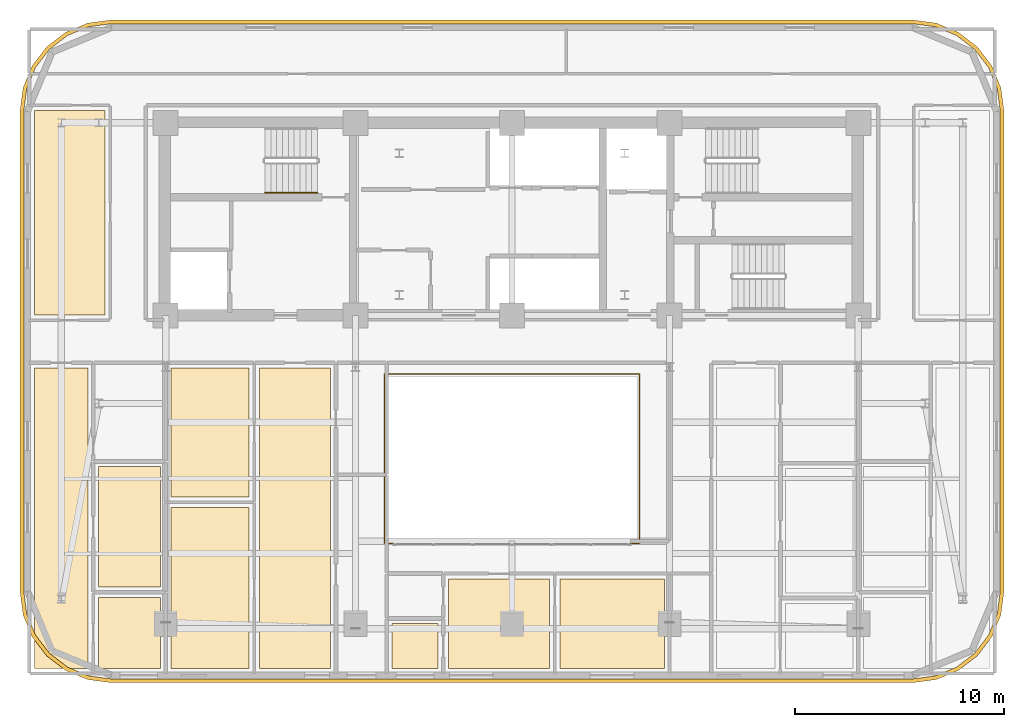
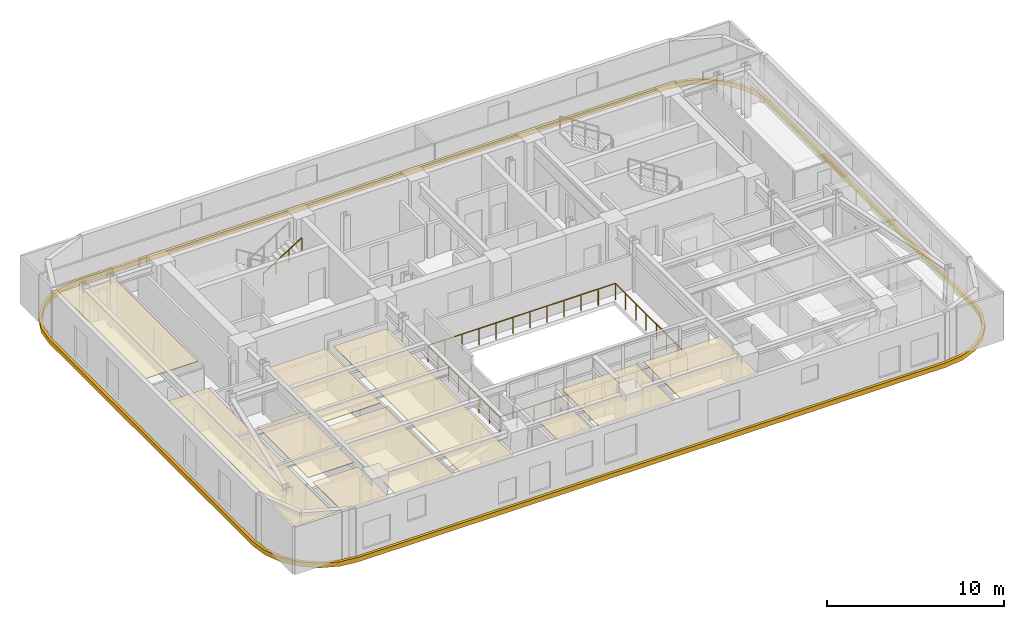
# One storey, part 10 of 12: 11 coverings, 2 railings.
"""IFC4 building model written with IfcOpenShell, lengths in metres."""

from ifc_helpers import new_model, si_unit, direction, frame, origin, origin_2d, place, context, subcontext, project, spatial, polyline, rectangle, outline, extrude, material, layer, layer_set, type_object, element, save


model = new_model("IFC4")

# Units and contexts
model_context = context("Model", 3, precision=1e-05, world=origin(), true_north=direction((0.0, 1.0)))
body_context = subcontext(model_context, "Body", "Model", "MODEL_VIEW")
ifc_project = project(units=[si_unit("LENGTHUNIT", "METRE"), si_unit("AREAUNIT", "SQUARE_METRE"), si_unit("VOLUMEUNIT", "CUBIC_METRE"), si_unit("PLANEANGLEUNIT", "RADIAN"), si_unit("MASSUNIT", "GRAM", prefix="KILO")], contexts=[model_context])

# Site, building, storey
site_placement = place(None, origin())
site = spatial("IfcSite", under=ifc_project, at=site_placement, CompositionType="ELEMENT")
building_placement = place(site_placement, origin())
building = spatial("IfcBuilding", under=site, at=building_placement, Name="Zarnavel Station Tower", CompositionType="ELEMENT")
storey_placement = place(building_placement, frame((0.0, 0.0, 144.800048828125)))
storey = spatial("IfcBuildingStorey", under=building, at=storey_placement, Name="L39", CompositionType="ELEMENT", Elevation=144.800048828125)

# Coverings
ifc_material_1 = material(Name="Perforated Gypsum and Mineral-Wool Acoustic Ceiling", Category="concrete")
ifc_layer = layer(ifc_material_1, 0.0400390625)
ifc_layer_set = layer_set([ifc_layer], Name="COV_CEIL_ACOUSTIC")
covering_type_1 = type_object("IfcCoveringType", Name="COV_CEIL_ACOUSTIC", PredefinedType="CEILING", material=ifc_layer_set)
covering_1_placement = place(storey_placement, frame((0.0, 0.0, 2.969970703125)))
element("IfcCovering", 1, at=covering_1_placement, inside=storey, type_object=covering_type_1, Name="L39 FNW Acoustic Ceiling", PredefinedType="CEILING", context=body_context, shape_type="SweptSolid", body=[
    extrude(outline(polyline([(5.909912109375, 27.85009765625), (9.300048828125, 27.85009765625), (9.300048828125, 37.64990234375), (5.909912109375, 37.64990234375), (5.909912109375, 27.85009765625)])), origin(), (0.0, 0.0, 1.0), 0.0400390625),
])
covering_2_placement = place(storey_placement, frame((0.0, 0.0, 2.969970703125)))
element("IfcCovering", 2, at=covering_2_placement, inside=storey, type_object=covering_type_1, Name="L39 UW1LV Acoustic Ceiling", PredefinedType="CEILING", context=body_context, shape_type="SweptSolid", body=[
    extrude(outline(polyline([(5.909912109375, 10.909912109375), (8.48388671875, 10.909912109375), (8.48388671875, 25.300048828125), (5.909912109375, 25.300048828125), (5.909912109375, 10.909912109375)])), origin(), (0.0, 0.0, 1.0), 0.0400390625),
])
covering_3_placement = place(storey_placement, frame((0.0, 0.0, 2.969970703125)))
element("IfcCovering", 3, at=covering_3_placement, inside=storey, type_object=covering_type_1, Name="L39 UW1B1 Acoustic Ceiling", PredefinedType="CEILING", context=body_context, shape_type="SweptSolid", body=[
    extrude(outline(polyline([(8.98388671875, 10.909912109375), (11.949951171875, 10.909912109375), (11.949951171875, 14.304931640625), (8.98388671875, 14.304931640625), (8.98388671875, 10.909912109375)])), origin(), (0.0, 0.0, 1.0), 0.0400390625),
])
covering_4_placement = place(storey_placement, frame((0.0, 0.0, 2.969970703125)))
element("IfcCovering", 4, at=covering_4_placement, inside=storey, type_object=covering_type_1, Name="L39 UW1KT Acoustic Ceiling", PredefinedType="CEILING", context=body_context, shape_type="SweptSolid", body=[
    extrude(outline(polyline([(8.98388671875, 14.804931640625), (11.949951171875, 14.804931640625), (11.949951171875, 20.572021484375), (8.98388671875, 20.572021484375), (8.98388671875, 14.804931640625)])), origin(), (0.0, 0.0, 1.0), 0.0400390625),
])
covering_5_placement = place(storey_placement, frame((0.0, 0.0, 2.969970703125)))
element("IfcCovering", 5, at=covering_5_placement, inside=storey, type_object=covering_type_1, Name="L39 UW2LV Acoustic Ceiling", PredefinedType="CEILING", context=body_context, shape_type="SweptSolid", body=[
    extrude(outline(polyline([(16.68994140625, 10.909912109375), (20.112060546875, 10.909912109375), (20.112060546875, 25.300048828125), (16.68994140625, 25.300048828125), (16.68994140625, 10.909912109375)])), origin(), (0.0, 0.0, 1.0), 0.0400390625),
])
covering_6_placement = place(storey_placement, frame((0.0, 0.0, 2.969970703125)))
element("IfcCovering", 6, at=covering_6_placement, inside=storey, type_object=covering_type_1, Name="L39 UW2B1 Acoustic Ceiling", PredefinedType="CEILING", context=body_context, shape_type="SweptSolid", body=[
    extrude(outline(polyline([(12.449951171875, 10.909912109375), (16.18994140625, 10.909912109375), (16.18994140625, 18.6201171875), (12.449951171875, 18.6201171875), (12.449951171875, 10.909912109375)])), origin(), (0.0, 0.0, 1.0), 0.0400390625),
])
covering_7_placement = place(storey_placement, frame((0.0, 0.0, 2.969970703125)))
element("IfcCovering", 7, at=covering_7_placement, inside=storey, type_object=covering_type_1, Name="L39 UW2B2 Acoustic Ceiling", PredefinedType="CEILING", context=body_context, shape_type="SweptSolid", body=[
    extrude(outline(polyline([(12.449951171875, 19.1201171875), (16.18994140625, 19.1201171875), (16.18994140625, 25.300048828125), (12.449951171875, 25.300048828125), (12.449951171875, 19.1201171875)])), origin(), (0.0, 0.0, 1.0), 0.0400390625),
])
covering_8_placement = place(storey_placement, frame((0.0, 0.0, 2.969970703125)))
element("IfcCovering", 8, at=covering_8_placement, inside=storey, type_object=covering_type_1, Name="L39 US1LV Acoustic Ceiling", PredefinedType="CEILING", context=body_context, shape_type="SweptSolid", body=[
    extrude(outline(polyline([(25.75, 10.909912109375), (30.60009765625, 10.909912109375), (30.60009765625, 15.199951171875), (25.75, 15.199951171875), (25.75, 10.909912109375)])), origin(), (0.0, 0.0, 1.0), 0.0400390625),
])
covering_9_placement = place(storey_placement, frame((0.0, 0.0, 2.969970703125)))
element("IfcCovering", 9, at=covering_9_placement, inside=storey, type_object=covering_type_1, Name="L39 US1KT Acoustic Ceiling", PredefinedType="CEILING", context=body_context, shape_type="SweptSolid", body=[
    extrude(outline(polyline([(23.050048828125, 10.909912109375), (25.25, 10.909912109375), (25.25, 13.050048828125), (23.050048828125, 13.050048828125), (23.050048828125, 10.909912109375)])), origin(), (0.0, 0.0, 1.0), 0.0400390625),
])
covering_10_placement = place(storey_placement, frame((0.0, 0.0, 2.969970703125)))
element("IfcCovering", 10, at=covering_10_placement, inside=storey, type_object=covering_type_1, Name="L39 US1B1 Acoustic Ceiling", PredefinedType="CEILING", context=body_context, shape_type="SweptSolid", body=[
    extrude(outline(polyline([(31.10009765625, 10.909912109375), (36.10009765625, 10.909912109375), (36.10009765625, 15.199951171875), (31.10009765625, 15.199951171875), (31.10009765625, 10.909912109375)])), origin(), (0.0, 0.0, 1.0), 0.0400390625),
])
ifc_material_2 = material(Name="Precast concrete C45/55 (Pale Travertine Slab Band)", Category="masonry")
covering_type_2 = type_object("IfcCoveringType", Name="COV_TRAVERTINE_BAND", PredefinedType="CLADDING", material=ifc_material_2)
covering_11_placement = place(storey_placement, frame((0.0, 0.0, -0.260009765625)))
element("IfcCovering", 11, at=covering_11_placement, inside=storey, type_object=covering_type_2, Name="L39 Pale Travertine Slab-Edge Band", PredefinedType="CLADDING", context=body_context, shape_type="SweptSolid", body=[
    extrude(outline(polyline([(48.0, 10.219970703125), (49.133544921875, 10.369140625), (50.18994140625, 10.806884765625), (51.09716796875, 11.5029296875), (51.793212890625, 12.409912109375), (52.230712890625, 13.46630859375), (52.3798828125, 14.60009765625), (52.3798828125, 37.60009765625), (52.230712890625, 38.733642578125), (51.793212890625, 39.7900390625), (51.09716796875, 40.697021484375), (50.18994140625, 41.393310546875), (49.133544921875, 41.830810546875), (48.0, 41.97998046875), (9.60009765625, 41.97998046875), (8.46630859375, 41.830810546875), (7.409912109375, 41.393310546875), (6.5029296875, 40.697021484375), (5.806884765625, 39.7900390625), (5.369140625, 38.733642578125), (5.219970703125, 37.60009765625), (5.219970703125, 14.60009765625), (5.369140625, 13.46630859375), (5.806884765625, 12.409912109375), (6.5029296875, 11.5029296875), (7.409912109375, 10.806884765625), (8.46630859375, 10.369140625), (9.60009765625, 10.219970703125), (48.0, 10.219970703125)]), holes=[polyline([(48.0, 10.39990234375), (49.0869140625, 10.543212890625), (50.10009765625, 10.962646484375), (50.9697265625, 11.630126953125), (51.63720703125, 12.5), (52.056884765625, 13.512939453125), (52.199951171875, 14.60009765625), (52.199951171875, 37.60009765625), (52.056884765625, 38.68701171875), (51.63720703125, 39.699951171875), (50.9697265625, 40.56982421875), (50.10009765625, 41.2373046875), (49.0869140625, 41.656982421875), (48.0, 41.800048828125), (9.60009765625, 41.800048828125), (8.512939453125, 41.656982421875), (7.5, 41.2373046875), (6.630126953125, 40.56982421875), (5.962646484375, 39.699951171875), (5.543212890625, 38.68701171875), (5.39990234375, 37.60009765625), (5.39990234375, 14.60009765625), (5.543212890625, 13.512939453125), (5.962646484375, 12.5), (6.630126953125, 11.630126953125), (7.5, 10.962646484375), (8.512939453125, 10.543212890625), (9.60009765625, 10.39990234375), (48.0, 10.39990234375)])]), origin(), (0.0, 0.0, 1.0), 0.320068359375),
])

# Railings
ifc_material_3 = material(Name="Painted Steel S355J2 Balustrade", Category="steel")
railing_type_1 = type_object("IfcRailingType", Name="GR_INT_1150", PredefinedType="GUARDRAIL", material=ifc_material_3)
railing_1_placement = place(storey_placement, frame((22.679931640625, 16.8798828125, 0.0)))
element("IfcRailing", 12, at=railing_1_placement, inside=storey, type_object=railing_type_1, Name="L39 Atrium Void Guardrail", PredefinedType="GUARDRAIL", context=body_context, shape_type="SweptSolid", body=[
    extrude(rectangle(XDim=0.048095703125, YDim=0.048095703125, at=origin_2d()), frame((0.001953125, 0.0, 1.1259765625), z_axis=(1.0, 0.0, 0.0), x_axis=(0.0, 1.0, 0.0)), (0.0, 0.0, 1.0), 12.236083984375),
    extrude(rectangle(XDim=0.048095703125, YDim=0.048095703125, at=origin_2d()), frame((12.239990234375, 0.001953125, 1.1259765625), z_axis=(0.0, 1.0, 0.0), x_axis=(-1.0, 0.0, 0.0)), (0.0, 0.0, 1.0), 8.13623046875),
    extrude(rectangle(XDim=0.048095703125, YDim=0.048095703125, at=origin_2d()), frame((12.238037109375, 8.14013671875, 1.1259765625), z_axis=(-1.0, 0.0, 0.0), x_axis=(0.0, -1.0, 0.0)), (0.0, 0.0, 1.0), 12.236083984375),
    extrude(rectangle(XDim=0.048095703125, YDim=0.048095703125, at=origin_2d()), frame((0.0, 8.13818359375, 1.1259765625), z_axis=(0.0, -1.0, 0.0), x_axis=(1.0, 0.0, 0.0)), (0.0, 0.0, 1.0), 8.13623046875),
    extrude(rectangle(XDim=0.0419921875, YDim=0.0419921875, at=origin_2d()), origin(), (0.0, 0.0, 1.0), 1.101806640625),
    extrude(rectangle(XDim=0.0419921875, YDim=0.0419921875, at=origin_2d()), frame((1.11279296875, 0.0, 0.0)), (0.0, 0.0, 1.0), 1.101806640625),
    extrude(rectangle(XDim=0.0419921875, YDim=0.0419921875, at=origin_2d()), frame((2.225341796875, 0.0, 0.0)), (0.0, 0.0, 1.0), 1.101806640625),
    extrude(rectangle(XDim=0.0419921875, YDim=0.0419921875, at=origin_2d()), frame((3.338134765625, 0.0, 0.0)), (0.0, 0.0, 1.0), 1.101806640625),
    extrude(rectangle(XDim=0.0419921875, YDim=0.0419921875, at=origin_2d()), frame((4.450927734375, 0.0, 0.0)), (0.0, 0.0, 1.0), 1.101806640625),
    extrude(rectangle(XDim=0.0419921875, YDim=0.0419921875, at=origin_2d()), frame((5.563720703125, 0.0, 0.0)), (0.0, 0.0, 1.0), 1.101806640625),
    extrude(rectangle(XDim=0.0419921875, YDim=0.0419921875, at=origin_2d()), frame((6.67626953125, 0.0, 0.0)), (0.0, 0.0, 1.0), 1.101806640625),
    extrude(rectangle(XDim=0.0419921875, YDim=0.0419921875, at=origin_2d()), frame((7.7890625, 0.0, 0.0)), (0.0, 0.0, 1.0), 1.101806640625),
    extrude(rectangle(XDim=0.0419921875, YDim=0.0419921875, at=origin_2d()), frame((8.90185546875, 0.0, 0.0)), (0.0, 0.0, 1.0), 1.101806640625),
    extrude(rectangle(XDim=0.0419921875, YDim=0.0419921875, at=origin_2d()), frame((10.0146484375, 0.0, 0.0)), (0.0, 0.0, 1.0), 1.101806640625),
    extrude(rectangle(XDim=0.0419921875, YDim=0.0419921875, at=origin_2d()), frame((11.127197265625, 0.0, 0.0)), (0.0, 0.0, 1.0), 1.101806640625),
    extrude(rectangle(XDim=0.0419921875, YDim=0.0419921875, at=origin_2d()), frame((12.239990234375, 0.0, 0.0)), (0.0, 0.0, 1.0), 1.101806640625),
    extrude(rectangle(XDim=0.0419921875, YDim=0.0419921875, at=origin_2d()), frame((12.239990234375, 1.162841796875, 0.0)), (0.0, 0.0, 1.0), 1.101806640625),
    extrude(rectangle(XDim=0.0419921875, YDim=0.0419921875, at=origin_2d()), frame((12.239990234375, 2.32568359375, 0.0)), (0.0, 0.0, 1.0), 1.101806640625),
    extrude(rectangle(XDim=0.0419921875, YDim=0.0419921875, at=origin_2d()), frame((12.239990234375, 3.488525390625, 0.0)), (0.0, 0.0, 1.0), 1.101806640625),
    extrude(rectangle(XDim=0.0419921875, YDim=0.0419921875, at=origin_2d()), frame((12.239990234375, 4.651611328125, 0.0)), (0.0, 0.0, 1.0), 1.101806640625),
    extrude(rectangle(XDim=0.0419921875, YDim=0.0419921875, at=origin_2d()), frame((12.239990234375, 5.814453125, 0.0)), (0.0, 0.0, 1.0), 1.101806640625),
    extrude(rectangle(XDim=0.0419921875, YDim=0.0419921875, at=origin_2d()), frame((12.239990234375, 6.977294921875, 0.0)), (0.0, 0.0, 1.0), 1.101806640625),
    extrude(rectangle(XDim=0.0419921875, YDim=0.0419921875, at=origin_2d()), frame((12.239990234375, 8.14013671875, 0.0)), (0.0, 0.0, 1.0), 1.101806640625),
    extrude(rectangle(XDim=0.0419921875, YDim=0.0419921875, at=origin_2d()), frame((11.127197265625, 8.14013671875, 0.0)), (0.0, 0.0, 1.0), 1.101806640625),
    extrude(rectangle(XDim=0.0419921875, YDim=0.0419921875, at=origin_2d()), frame((10.0146484375, 8.14013671875, 0.0)), (0.0, 0.0, 1.0), 1.101806640625),
    extrude(rectangle(XDim=0.0419921875, YDim=0.0419921875, at=origin_2d()), frame((8.90185546875, 8.14013671875, 0.0)), (0.0, 0.0, 1.0), 1.101806640625),
    extrude(rectangle(XDim=0.0419921875, YDim=0.0419921875, at=origin_2d()), frame((7.7890625, 8.14013671875, 0.0)), (0.0, 0.0, 1.0), 1.101806640625),
    extrude(rectangle(XDim=0.0419921875, YDim=0.0419921875, at=origin_2d()), frame((6.67626953125, 8.14013671875, 0.0)), (0.0, 0.0, 1.0), 1.101806640625),
    extrude(rectangle(XDim=0.0419921875, YDim=0.0419921875, at=origin_2d()), frame((5.563720703125, 8.14013671875, 0.0)), (0.0, 0.0, 1.0), 1.101806640625),
    extrude(rectangle(XDim=0.0419921875, YDim=0.0419921875, at=origin_2d()), frame((4.450927734375, 8.14013671875, 0.0)), (0.0, 0.0, 1.0), 1.101806640625),
    extrude(rectangle(XDim=0.0419921875, YDim=0.0419921875, at=origin_2d()), frame((3.338134765625, 8.14013671875, 0.0)), (0.0, 0.0, 1.0), 1.101806640625),
    extrude(rectangle(XDim=0.0419921875, YDim=0.0419921875, at=origin_2d()), frame((2.225341796875, 8.14013671875, 0.0)), (0.0, 0.0, 1.0), 1.101806640625),
    extrude(rectangle(XDim=0.0419921875, YDim=0.0419921875, at=origin_2d()), frame((1.11279296875, 8.14013671875, 0.0)), (0.0, 0.0, 1.0), 1.101806640625),
    extrude(rectangle(XDim=0.0419921875, YDim=0.0419921875, at=origin_2d()), frame((0.0, 8.14013671875, 0.0)), (0.0, 0.0, 1.0), 1.101806640625),
    extrude(rectangle(XDim=0.0419921875, YDim=0.0419921875, at=origin_2d()), frame((0.0, 6.977294921875, 0.0)), (0.0, 0.0, 1.0), 1.101806640625),
    extrude(rectangle(XDim=0.0419921875, YDim=0.0419921875, at=origin_2d()), frame((0.0, 5.814453125, 0.0)), (0.0, 0.0, 1.0), 1.101806640625),
    extrude(rectangle(XDim=0.0419921875, YDim=0.0419921875, at=origin_2d()), frame((0.0, 4.651611328125, 0.0)), (0.0, 0.0, 1.0), 1.101806640625),
    extrude(rectangle(XDim=0.0419921875, YDim=0.0419921875, at=origin_2d()), frame((0.0, 3.488525390625, 0.0)), (0.0, 0.0, 1.0), 1.101806640625),
    extrude(rectangle(XDim=0.0419921875, YDim=0.0419921875, at=origin_2d()), frame((0.0, 2.32568359375, 0.0)), (0.0, 0.0, 1.0), 1.101806640625),
    extrude(rectangle(XDim=0.0419921875, YDim=0.0419921875, at=origin_2d()), frame((0.0, 1.162841796875, 0.0)), (0.0, 0.0, 1.0), 1.101806640625),
])
ifc_material_4 = material(Name="Brushed Stainless Steel S355J2 Handrail", Category="steel")
railing_type_2 = type_object("IfcRailingType", Name="HR_STAIR_900", PredefinedType="HANDRAIL", material=ifc_material_4)
railing_2_placement = place(storey_placement, frame((16.9599609375, 33.7099609375, 1.952392578125)))
element("IfcRailing", 13, at=railing_2_placement, inside=storey, type_object=railing_type_2, Name="L39 ST1 stair handrail 2", PredefinedType="HANDRAIL", context=body_context, shape_type="SweptSolid", body=[
    extrude(rectangle(XDim=0.048095703125, YDim=0.048095703125, at=origin_2d()), frame((0.001708984375, 0.0, 0.876953125), z_axis=(0.84456994832, 0.0, 0.535445237532), x_axis=(0.0, 1.0, 0.0)), (0.0, 0.0, 1.0), 2.979736328125),
    extrude(rectangle(XDim=0.0419921875, YDim=0.0419921875, at=origin_2d()), origin(), (0.0, 0.0, 1.0), 0.851806640625),
    extrude(rectangle(XDim=0.0419921875, YDim=0.0419921875, at=origin_2d()), frame((0.840087890625, 0.0, 0.532470703125)), (0.0, 0.0, 1.0), 0.851806640625),
    extrude(rectangle(XDim=0.0419921875, YDim=0.0419921875, at=origin_2d()), frame((1.679931640625, 0.0, 1.065185546875)), (0.0, 0.0, 1.0), 0.851806640625),
    extrude(rectangle(XDim=0.0419921875, YDim=0.0419921875, at=origin_2d()), frame((2.52001953125, 0.0, 1.59765625)), (0.0, 0.0, 1.0), 0.851806640625),
])

save(model, "model.ifc")
